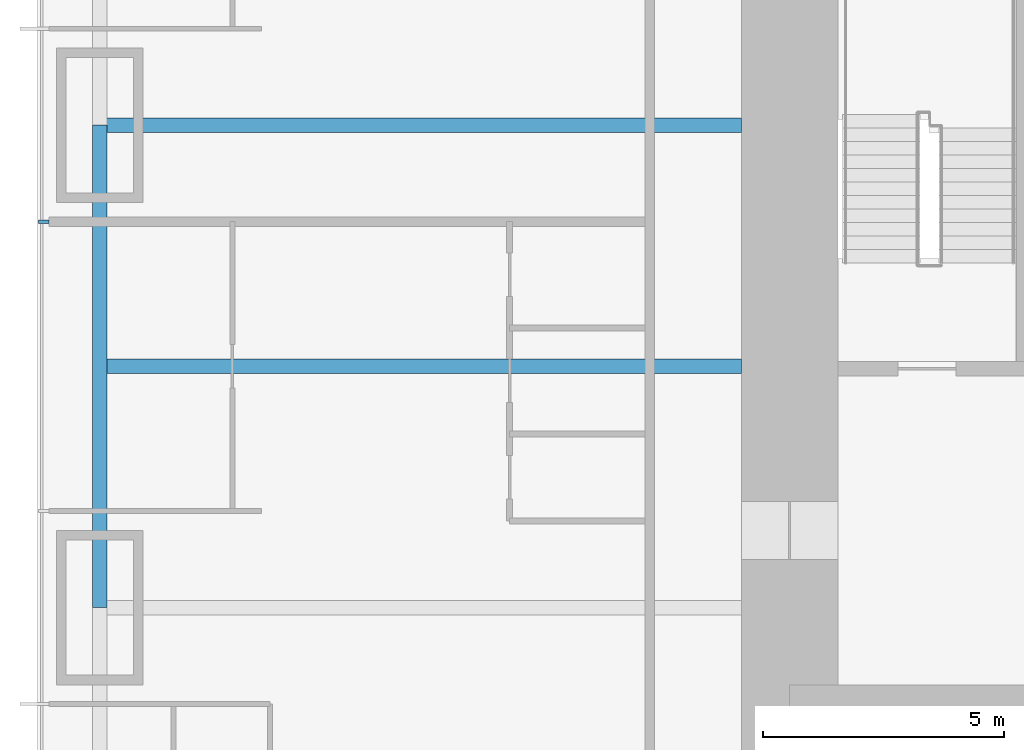
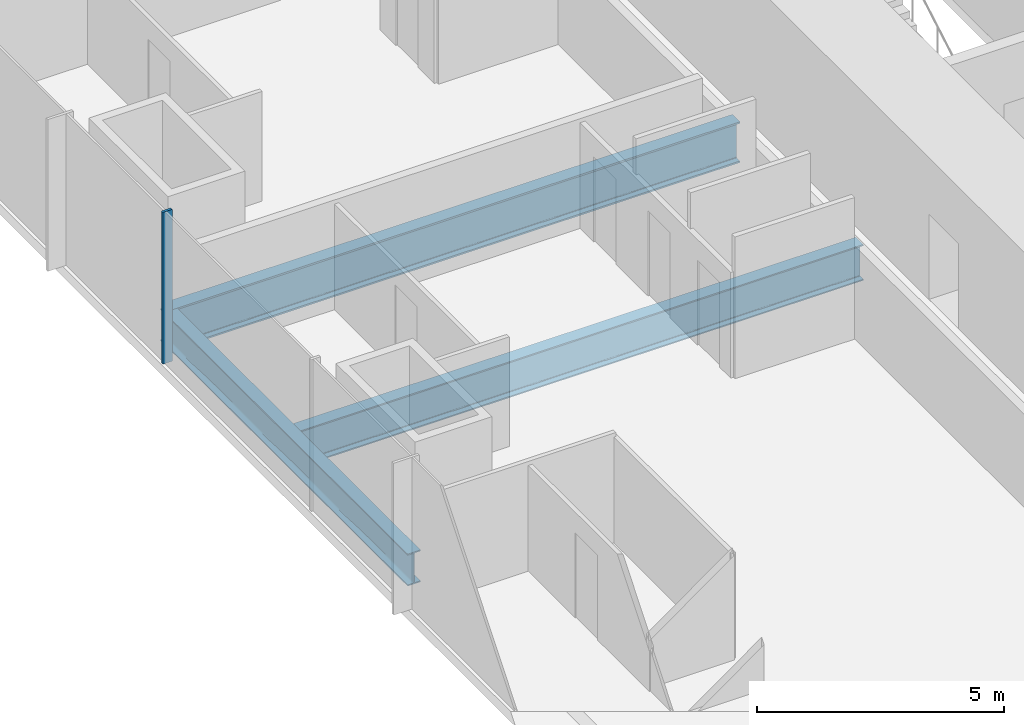
# One storey, part 3 of 17: 3 beams, 1 member, 1 element without a shape of its own.
"""IFC4 building model written with IfcOpenShell, lengths in metres."""

from ifc_helpers import new_model, si_unit, direction, frame, origin, origin_2d, place, context, subcontext, project, spatial, rectangle, i_section, extrude, material, material_profile, profile_set, type_object, element, aggregate, save


model = new_model("IFC4")

# Units and contexts
model_context = context("Model", 3, precision=1e-05, world=origin(), true_north=direction((0.0, 1.0)))
body_context = subcontext(model_context, "Body", "Model", "MODEL_VIEW")
ifc_project = project(units=[si_unit("LENGTHUNIT", "METRE"), si_unit("AREAUNIT", "SQUARE_METRE"), si_unit("VOLUMEUNIT", "CUBIC_METRE"), si_unit("PLANEANGLEUNIT", "RADIAN"), si_unit("MASSUNIT", "GRAM", prefix="KILO")], contexts=[model_context])

# Site, building, storey
site_placement = place(None, origin())
site = spatial("IfcSite", under=ifc_project, at=site_placement, CompositionType="ELEMENT")
building_placement = place(site_placement, origin())
building = spatial("IfcBuilding", under=site, at=building_placement, Name="Khuree Lantern Residences", CompositionType="ELEMENT")
storey_placement = place(building_placement, frame((0.0, 0.0, 84.75)))
storey = spatial("IfcBuildingStorey", under=building, at=storey_placement, Name="L21", CompositionType="ELEMENT", Elevation=84.75)

# Beams
ifc_material_1 = material(Name="Steel S355", Category="steel")
ifc_material_profile_1 = material_profile(ifc_material_1, i_section(OverallWidth=0.300048828125, OverallDepth=0.889892578125, WebThickness=0.01611328125, FlangeThickness=0.030029296875, FilletRadius=0.030029296875, at=origin_2d()), Name="HE 900 A")
ifc_profile_set_1 = profile_set([ifc_material_profile_1], Name="Steel S355")
beam_type_1 = type_object("IfcBeamType", Name="B-15 SECONDARY BEAM HE 900 A", PredefinedType="BEAM", material=ifc_profile_set_1)
beam_1_placement = place(storey_placement, frame((-29.800048828125, -5.0, -0.695068359375), z_axis=(1.0, 0.0, 0.0), x_axis=(0.0, 1.0, 0.0)))
element("IfcBeam", 1, at=beam_1_placement, inside=storey, type_object=beam_type_1, Name="Secondary beam W3", PredefinedType="BEAM", context=body_context, shape_type="SweptSolid", body=[
    extrude(i_section(OverallWidth=0.300048828125, OverallDepth=0.889892578125, WebThickness=0.01611328125, FlangeThickness=0.030029296875, FilletRadius=0.030029296875, at=origin_2d()), origin(), (0.0, 0.0, 1.0), 13.300048828125),
])
ifc_material_profile_2 = material_profile(ifc_material_1, i_section(OverallWidth=0.300048828125, OverallDepth=0.7900390625, WebThickness=0.014892578125, FlangeThickness=0.028076171875, FilletRadius=0.030029296875, at=origin_2d()), Name="HE 800 A")
ifc_profile_set_2 = profile_set([ifc_material_profile_2], Name="Steel S355")
beam_type_2 = type_object("IfcBeamType", Name="E-15 SPANDREL BEAM HE 800 A", PredefinedType="SPANDREL", material=ifc_profile_set_2)
beam_2_placement = place(storey_placement, frame((-29.800048828125, -10.0, -0.64501953125), z_axis=(0.0, 1.0, 0.0), x_axis=(-1.0, 0.0, 0.0)))
element("IfcBeam", 2, at=beam_2_placement, inside=storey, type_object=beam_type_2, Name="Spandrel beam W3", PredefinedType="SPANDREL", context=body_context, shape_type="SweptSolid", body=[
    extrude(i_section(OverallWidth=0.300048828125, OverallDepth=0.7900390625, WebThickness=0.014892578125, FlangeThickness=0.028076171875, FilletRadius=0.030029296875, at=origin_2d()), origin(), (0.0, 0.0, 1.0), 10.0),
])
ifc_material_profile_3 = material_profile(ifc_material_1, i_section(OverallWidth=0.302001953125, OverallDepth=1.008056640625, WebThickness=0.02099609375, FlangeThickness=0.0400390625, FilletRadius=0.030029296875, at=origin_2d()), Name="HE 1000 M")
ifc_profile_set_3 = profile_set([ifc_material_profile_3], Name="Steel S355")
beam_type_3 = type_object("IfcBeamType", Name="G-15 GIRDER HE 1000 M", PredefinedType="BEAM", material=ifc_profile_set_3)
beam_3_placement = place(storey_placement, frame((-29.800048828125, 0.0, -0.75390625), z_axis=(1.0, 0.0, 0.0), x_axis=(0.0, 1.0, 0.0)))
element("IfcBeam", 3, at=beam_3_placement, inside=storey, type_object=beam_type_3, Name="Girder W3", PredefinedType="BEAM", context=body_context, shape_type="SweptSolid", body=[
    extrude(i_section(OverallWidth=0.302001953125, OverallDepth=1.008056640625, WebThickness=0.02099609375, FlangeThickness=0.0400390625, FilletRadius=0.030029296875, at=origin_2d()), origin(), (0.0, 0.0, 1.0), 13.300048828125),
])

# Curtain wall, member
ifc_material_2 = material(Name="Bronze anodised aluminium", Category="aluminium")
curtain_wall_type = type_object("IfcCurtainWallType", Name="CW-T1 TOWER FACE CURTAIN WALL", PredefinedType="USERDEFINED", material=ifc_material_2)
curtain_wall_placement = place(storey_placement, origin())
curtain_wall = element("IfcCurtainWall", 4, at=curtain_wall_placement, inside=storey, type_object=curtain_wall_type, Name="L21 WEST FACE CURTAIN WALL", ObjectType="Stick-built curtain wall", PredefinedType="USERDEFINED")
ifc_material_profile_4 = material_profile(ifc_material_2, rectangle(XDim=0.06494140625, YDim=0.219970703125, at=origin_2d()), Name="M1 65X220")
ifc_profile_set_4 = profile_set([ifc_material_profile_4], Name="Bronze anodised aluminium")
member_type = type_object("IfcMemberType", Name="M1 BRONZE MULLION TOWER 65X220", PredefinedType="MULLION", material=ifc_profile_set_4)
member_placement = place(storey_placement, frame((-30.9599609375, -2.0, 0.0), z_axis=(0.0, 0.0, 1.0), x_axis=(0.0, -1.0, 0.0)))
member = element("IfcMember", 5, at=member_placement, type_object=member_type, Name="L21 WEST FACE MULLION 38", PredefinedType="MULLION", context=body_context, shape_type="SweptSolid", body=[
    extrude(rectangle(XDim=0.06494140625, YDim=0.219970703125, at=origin_2d()), origin(), (0.0, 0.0, 1.0), 3.75),
])
aggregate(curtain_wall, [member])

save(model, "model.ifc")
